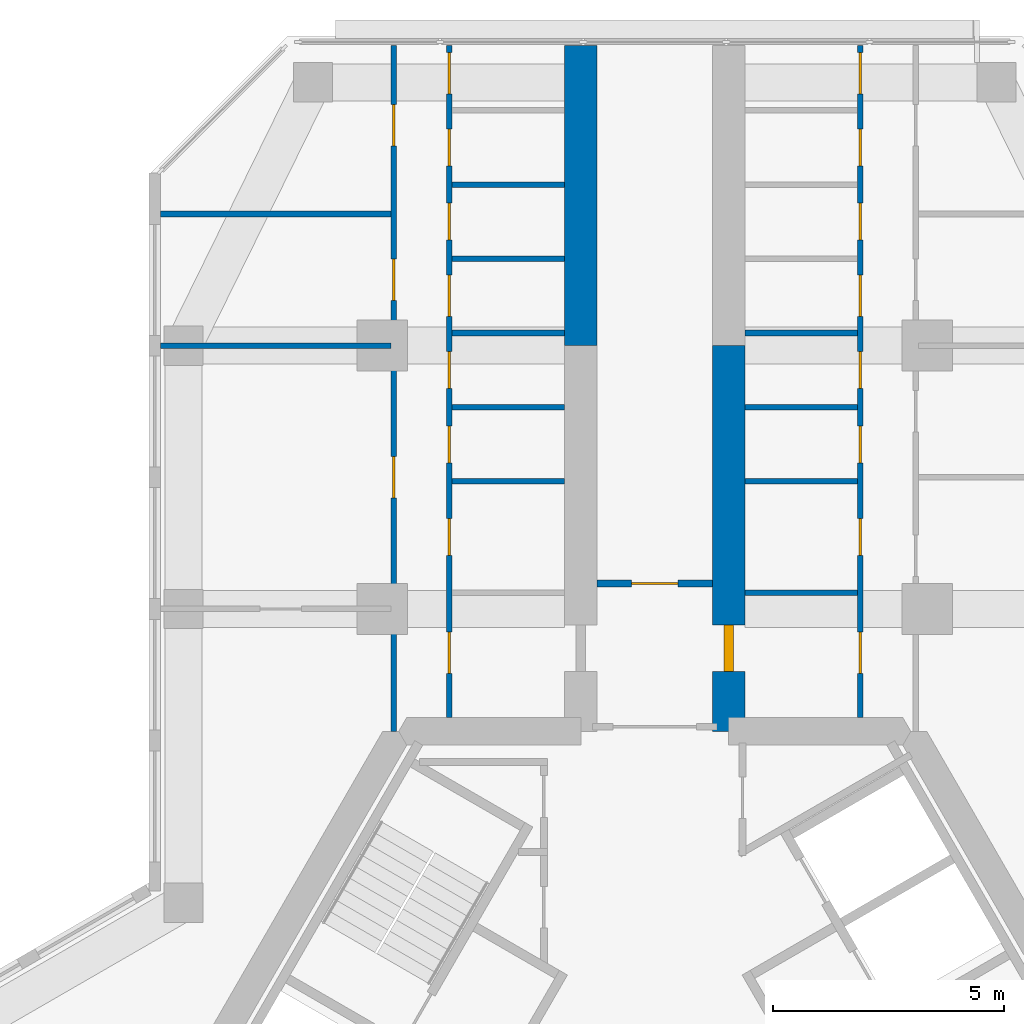
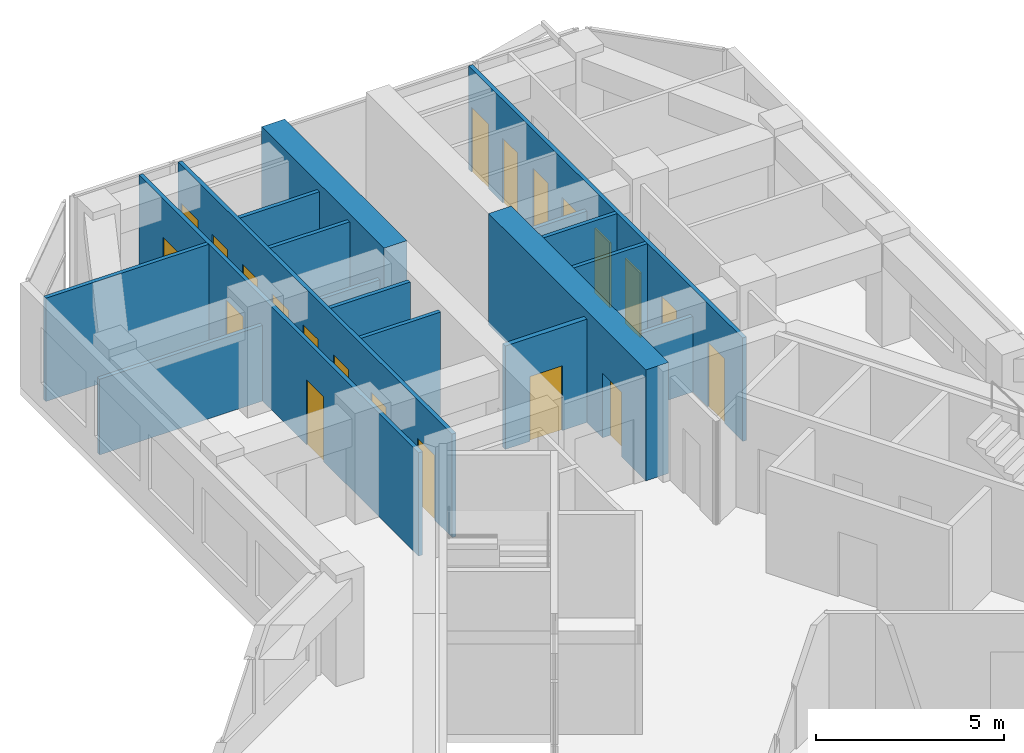
# One storey, part 14 of 16: 21 doors, 17 walls, 21 openings.
"""IFC4 building model written with IfcOpenShell, lengths in metres."""

from ifc_helpers import new_model, si_unit, direction, frame, frame_2d, origin, place, context, subcontext, project, spatial, rectangle, extrude, material, layer, layer_set, type_object, element, fill, save


model = new_model("IFC4")

# Units and contexts
model_context = context("Model", 3, precision=1e-05, world=origin(), true_north=direction((0.0, 1.0)))
body_context = subcontext(model_context, "Body", "Model", "MODEL_VIEW")
ifc_project = project(units=[si_unit("LENGTHUNIT", "METRE"), si_unit("AREAUNIT", "SQUARE_METRE"), si_unit("VOLUMEUNIT", "CUBIC_METRE"), si_unit("PLANEANGLEUNIT", "RADIAN"), si_unit("MASSUNIT", "GRAM", prefix="KILO")], contexts=[model_context])

# Site, building, storey
site_placement = place(None, origin())
site = spatial("IfcSite", under=ifc_project, at=site_placement, CompositionType="ELEMENT")
building_placement = place(site_placement, origin())
building = spatial("IfcBuilding", under=site, at=building_placement, Name="Kosmar Iwan School Tower", CompositionType="ELEMENT")
storey_placement = place(building_placement, frame((0.0, 0.0, 249.60009765625)))
storey = spatial("IfcBuildingStorey", under=building, at=storey_placement, Name="L63", CompositionType="ELEMENT", Elevation=249.60009765625)

# Wall
ifc_material_1 = material(Name="Concrete C50/60", Category="concrete")
ifc_layer_1 = layer(ifc_material_1, 0.699951171875)
ifc_layer_set_1 = layer_set([ifc_layer_1], Name="Corridor buttress wall 700")
wall_type_1 = type_object("IfcWallType", Name="Corridor buttress wall 700", PredefinedType="SHEAR", material=ifc_layer_set_1)
wall_1_placement = place(storey_placement, frame((-1.60009765625, 17.949951171875, 0.0), z_axis=(0.0, 0.0, 1.0), x_axis=(0.0, 1.0, 0.0)))
element("IfcWall", 1, at=wall_1_placement, inside=storey, type_object=wall_type_1, Name="Corridor wall AL bay 2", PredefinedType="SHEAR", context=body_context, shape_type="SweptSolid", body=[
    extrude(rectangle(XDim=6.4951171875, YDim=0.699951171875, at=frame_2d((3.24755859375, 0.0))), origin(), (0.0, 0.0, 1.0), 3.599853515625),
])

# Wall, opening, door
wall_2_placement = place(storey_placement, frame((1.60009765625, 9.60009765625, 0.0), z_axis=(0.0, 0.0, 1.0), x_axis=(0.0, 1.0, 0.0)))
wall_2 = element("IfcWall", 2, at=wall_2_placement, inside=storey, type_object=wall_type_1, Name="Corridor wall AR", PredefinedType="SHEAR", context=body_context, shape_type="SweptSolid", body=[
    extrude(rectangle(XDim=8.349853515625, YDim=0.699951171875, at=frame_2d((4.1748046875, 0.0))), origin(), (0.0, 0.0, 1.0), 3.599853515625),
])
opening_1_placement = place(wall_2_placement, frame((1.300048828125, 0.0, 0.0)))
opening_1 = element("IfcOpeningElement", 3, at=opening_1_placement, cuts=wall_2, Name="Opening D1", PredefinedType="OPENING", context=body_context, shape_type="SweptSolid", body=[
    extrude(rectangle(XDim=1.0, YDim=2.10009765625, at=frame_2d((0.5, 1.050048828125))), frame((0.0, 0.362060546875, 0.0), z_axis=(0.0, -1.0, 0.0), x_axis=(1.0, 0.0, 0.0)), (0.0, 0.0, 1.0), 0.723876953125),
])
ifc_material_2 = material(Name="Timber fire door in steel frame", Category="steel")
door_type_1 = type_object("IfcDoorType", Name="Flat entrance door 1000x2100", OperationType="SINGLE_SWING_LEFT", PredefinedType="DOOR", material=ifc_material_2)
door_1_placement = place(opening_1_placement, origin())
door_1 = element("IfcDoor", 4, at=door_1_placement, inside=storey, type_object=door_type_1, Name="Flat L63-AR1 entrance door", OperationType="SINGLE_SWING_RIGHT", OverallHeight=2.10009765625, OverallWidth=1.0, PredefinedType="DOOR", context=body_context, shape_type="SweptSolid", body=[
    extrude(rectangle(XDim=1.0, YDim=2.10009765625, at=frame_2d((0.5, 1.050048828125))), frame((0.0, 0.10009765625, 0.0), z_axis=(0.0, -1.0, 0.0), x_axis=(1.0, 0.0, 0.0)), (0.0, 0.0, 1.0), 0.199951171875),
])
fill(opening_1, door_1)

ifc_material_3 = material(Name="Gypsum board on steel studs, fire-rated", Category="steel")
ifc_layer_2 = layer(ifc_material_3, 0.14990234375)
ifc_layer_set_2 = layer_set([ifc_layer_2], Name="Corridor end wall 150")
wall_type_2 = type_object("IfcWallType", Name="Corridor end wall 150", PredefinedType="PARTITIONING", material=ifc_layer_set_2)
wall_3_placement = place(storey_placement, frame((1.25, 12.800048828125, 0.0), z_axis=(0.0, 0.0, 1.0), x_axis=(-1.0, 0.0, 0.0)))
wall_3 = element("IfcWall", 5, at=wall_3_placement, inside=storey, type_object=wall_type_2, Name="Partition L63-A-CE", PredefinedType="PARTITIONING", context=body_context, shape_type="SweptSolid", body=[
    extrude(rectangle(XDim=2.5, YDim=0.14990234375, at=frame_2d((1.25, 0.0))), origin(), (0.0, 0.0, 1.0), 3.349853515625),
])
opening_2_placement = place(wall_3_placement, frame((0.75, 0.0, 0.0)))
opening_2 = element("IfcOpeningElement", 6, at=opening_2_placement, cuts=wall_3, Name="Opening D13", PredefinedType="OPENING", context=body_context, shape_type="SweptSolid", body=[
    extrude(rectangle(XDim=1.0, YDim=2.10009765625, at=frame_2d((0.5, 1.050048828125))), frame((0.0, 0.0869140625, 0.0), z_axis=(0.0, -1.0, 0.0), x_axis=(1.0, 0.0, 0.0)), (0.0, 0.0, 1.0), 0.173828125),
])
ifc_material_4 = material(Name="Timber fire door with vision panel", Category="wood")
door_type_2 = type_object("IfcDoorType", Name="Corridor end door 1000x2100", OperationType="SINGLE_SWING_LEFT", PredefinedType="DOOR", material=ifc_material_4)
door_2_placement = place(opening_2_placement, origin())
door_2 = element("IfcDoor", 7, at=door_2_placement, inside=storey, type_object=door_type_2, Name="Reading room door L63-A", OperationType="SINGLE_SWING_LEFT", OverallHeight=2.10009765625, OverallWidth=1.0, PredefinedType="DOOR", context=body_context, shape_type="SweptSolid", body=[
    extrude(rectangle(XDim=1.0, YDim=2.10009765625, at=frame_2d((0.5, 1.050048828125))), frame((0.0, 0.02490234375, 0.0), z_axis=(0.0, -1.0, 0.0), x_axis=(1.0, 0.0, 0.0)), (0.0, 0.0, 1.0), 0.050048828125),
])
fill(opening_2, door_2)

# Wall, openings, doors
ifc_material_5 = material(Name="Gypsum board on steel studs", Category="steel")
ifc_layer_3 = layer(ifc_material_5, 0.1201171875)
ifc_layer_set_3 = layer_set([ifc_layer_3], Name="Dwelling partition 120")
wall_type_3 = type_object("IfcWallType", Name="Dwelling partition 120", PredefinedType="PARTITIONING", material=ifc_layer_set_3)
wall_4_placement = place(storey_placement, frame((-4.449951171875, 9.89990234375, 0.0), z_axis=(0.0, 0.0, 1.0), x_axis=(0.0, 1.0, 0.0)))
wall_4 = element("IfcWall", 8, at=wall_4_placement, inside=storey, type_object=wall_type_3, Name="Partition L63-AL1-W1", PredefinedType="PARTITIONING", context=body_context, shape_type="SweptSolid", body=[
    extrude(rectangle(XDim=14.545166015625, YDim=0.1201171875, at=frame_2d((7.2724609375, 0.0))), origin(), (0.0, 0.0, 1.0), 3.349853515625),
])
opening_3_placement = place(wall_4_placement, frame((0.949951171875, 0.0, 0.0)))
opening_3 = element("IfcOpeningElement", 9, at=opening_3_placement, cuts=wall_4, Name="Opening D2", PredefinedType="OPENING", context=body_context, shape_type="SweptSolid", body=[
    extrude(rectangle(XDim=0.89990234375, YDim=2.10009765625, at=frame_2d((0.449951171875, 1.050048828125))), frame((0.0, 0.072021484375, 0.0), z_axis=(0.0, -1.0, 0.0), x_axis=(1.0, 0.0, 0.0)), (0.0, 0.0, 1.0), 0.14404296875),
])
opening_4_placement = place(wall_4_placement, frame((3.505126953125, 0.0, 0.0)))
opening_4 = element("IfcOpeningElement", 10, at=opening_4_placement, cuts=wall_4, Name="Opening D3", PredefinedType="OPENING", context=body_context, shape_type="SweptSolid", body=[
    extrude(rectangle(XDim=0.800048828125, YDim=2.10009765625, at=frame_2d((0.39990234375, 1.050048828125))), frame((0.0, 0.072021484375, 0.0), z_axis=(0.0, -1.0, 0.0), x_axis=(1.0, 0.0, 0.0)), (0.0, 0.0, 1.0), 0.14404296875),
])
opening_5_placement = place(wall_4_placement, frame((5.513427734375, 0.0, 0.0)))
opening_5 = element("IfcOpeningElement", 11, at=opening_5_placement, cuts=wall_4, Name="Opening D3", PredefinedType="OPENING", context=body_context, shape_type="SweptSolid", body=[
    extrude(rectangle(XDim=0.800048828125, YDim=2.10009765625, at=frame_2d((0.39990234375, 1.050048828125))), frame((0.0, 0.072021484375, 0.0), z_axis=(0.0, -1.0, 0.0), x_axis=(1.0, 0.0, 0.0)), (0.0, 0.0, 1.0), 0.14404296875),
])
opening_6_placement = place(wall_4_placement, frame((7.1201171875, 0.0, 0.0)))
opening_6 = element("IfcOpeningElement", 12, at=opening_6_placement, cuts=wall_4, Name="Opening D3", PredefinedType="OPENING", context=body_context, shape_type="SweptSolid", body=[
    extrude(rectangle(XDim=0.800048828125, YDim=2.10009765625, at=frame_2d((0.39990234375, 1.050048828125))), frame((0.0, 0.072021484375, 0.0), z_axis=(0.0, -1.0, 0.0), x_axis=(1.0, 0.0, 0.0)), (0.0, 0.0, 1.0), 0.14404296875),
])
opening_7_placement = place(wall_4_placement, frame((8.6767578125, 0.0, 0.0)))
opening_7 = element("IfcOpeningElement", 13, at=opening_7_placement, cuts=wall_4, Name="Opening D2", PredefinedType="OPENING", context=body_context, shape_type="SweptSolid", body=[
    extrude(rectangle(XDim=0.89990234375, YDim=2.10009765625, at=frame_2d((0.449951171875, 1.050048828125))), frame((0.0, 0.072021484375, 0.0), z_axis=(0.0, -1.0, 0.0), x_axis=(1.0, 0.0, 0.0)), (0.0, 0.0, 1.0), 0.14404296875),
])
opening_8_placement = place(wall_4_placement, frame((10.333251953125, 0.0, 0.0)))
opening_8 = element("IfcOpeningElement", 14, at=opening_8_placement, cuts=wall_4, Name="Opening D3", PredefinedType="OPENING", context=body_context, shape_type="SweptSolid", body=[
    extrude(rectangle(XDim=0.800048828125, YDim=2.10009765625, at=frame_2d((0.39990234375, 1.050048828125))), frame((0.0, 0.072021484375, 0.0), z_axis=(0.0, -1.0, 0.0), x_axis=(1.0, 0.0, 0.0)), (0.0, 0.0, 1.0), 0.14404296875),
])
opening_9_placement = place(wall_4_placement, frame((11.93994140625, 0.0, 0.0)))
opening_9 = element("IfcOpeningElement", 15, at=opening_9_placement, cuts=wall_4, Name="Opening D3", PredefinedType="OPENING", context=body_context, shape_type="SweptSolid", body=[
    extrude(rectangle(XDim=0.800048828125, YDim=2.10009765625, at=frame_2d((0.39990234375, 1.050048828125))), frame((0.0, 0.072021484375, 0.0), z_axis=(0.0, -1.0, 0.0), x_axis=(1.0, 0.0, 0.0)), (0.0, 0.0, 1.0), 0.14404296875),
])
opening_10_placement = place(wall_4_placement, frame((13.49658203125, 0.0, 0.0)))
opening_10 = element("IfcOpeningElement", 16, at=opening_10_placement, cuts=wall_4, Name="Opening D2", PredefinedType="OPENING", context=body_context, shape_type="SweptSolid", body=[
    extrude(rectangle(XDim=0.89990234375, YDim=2.10009765625, at=frame_2d((0.449951171875, 1.050048828125))), frame((0.0, 0.072021484375, 0.0), z_axis=(0.0, -1.0, 0.0), x_axis=(1.0, 0.0, 0.0)), (0.0, 0.0, 1.0), 0.14404296875),
])
ifc_material_6 = material(Name="Timber door in timber frame", Category="wood")
door_type_3 = type_object("IfcDoorType", Name="Internal door 900x2100", OperationType="SINGLE_SWING_LEFT", PredefinedType="DOOR", material=ifc_material_6)
door_3_placement = place(opening_3_placement, origin())
door_3 = element("IfcDoor", 17, at=door_3_placement, inside=storey, type_object=door_type_3, Name="Entrance hall door L63-AL1-S1", OperationType="SINGLE_SWING_LEFT", OverallHeight=2.10009765625, OverallWidth=0.89990234375, PredefinedType="DOOR", context=body_context, shape_type="SweptSolid", body=[
    extrude(rectangle(XDim=0.89990234375, YDim=2.10009765625, at=frame_2d((0.449951171875, 1.050048828125))), frame((0.0, 0.02490234375, 0.0), z_axis=(0.0, -1.0, 0.0), x_axis=(1.0, 0.0, 0.0)), (0.0, 0.0, 1.0), 0.050048828125),
])
fill(opening_3, door_3)
door_4_placement = place(opening_7_placement, origin())
door_4 = element("IfcDoor", 18, at=door_4_placement, inside=storey, type_object=door_type_3, Name="Pantry door L63-AL1-S5", OperationType="SINGLE_SWING_RIGHT", OverallHeight=2.10009765625, OverallWidth=0.89990234375, PredefinedType="DOOR", context=body_context, shape_type="SweptSolid", body=[
    extrude(rectangle(XDim=0.89990234375, YDim=2.10009765625, at=frame_2d((0.449951171875, 1.050048828125))), frame((0.0, 0.02490234375, 0.0), z_axis=(0.0, -1.0, 0.0), x_axis=(1.0, 0.0, 0.0)), (0.0, 0.0, 1.0), 0.050048828125),
])
fill(opening_7, door_4)
door_5_placement = place(opening_10_placement, origin())
door_5 = element("IfcDoor", 19, at=door_5_placement, inside=storey, type_object=door_type_3, Name="Utility room door L63-AL1-S8", OperationType="SINGLE_SWING_RIGHT", OverallHeight=2.10009765625, OverallWidth=0.89990234375, PredefinedType="DOOR", context=body_context, shape_type="SweptSolid", body=[
    extrude(rectangle(XDim=0.89990234375, YDim=2.10009765625, at=frame_2d((0.449951171875, 1.050048828125))), frame((0.0, 0.02490234375, 0.0), z_axis=(0.0, -1.0, 0.0), x_axis=(1.0, 0.0, 0.0)), (0.0, 0.0, 1.0), 0.050048828125),
])
fill(opening_10, door_5)
ifc_material_7 = material(Name="Timber door in timber frame", Category="wood")
door_type_4 = type_object("IfcDoorType", Name="Sanitary room door 800x2100", OperationType="SINGLE_SWING_LEFT", PredefinedType="DOOR", material=ifc_material_7)
door_6_placement = place(opening_4_placement, origin())
door_6 = element("IfcDoor", 20, at=door_6_placement, inside=storey, type_object=door_type_4, Name="Bathroom door L63-AL1-S2", OperationType="SINGLE_SWING_LEFT", OverallHeight=2.10009765625, OverallWidth=0.800048828125, PredefinedType="DOOR", context=body_context, shape_type="SweptSolid", body=[
    extrude(rectangle(XDim=0.800048828125, YDim=2.10009765625, at=frame_2d((0.39990234375, 1.050048828125))), frame((0.0, 0.02490234375, 0.0), z_axis=(0.0, -1.0, 0.0), x_axis=(1.0, 0.0, 0.0)), (0.0, 0.0, 1.0), 0.050048828125),
])
fill(opening_4, door_6)
door_7_placement = place(opening_5_placement, origin())
door_7 = element("IfcDoor", 21, at=door_7_placement, inside=storey, type_object=door_type_4, Name="Grandparents' shower room door L63-AL1-S3", OperationType="SINGLE_SWING_LEFT", OverallHeight=2.10009765625, OverallWidth=0.800048828125, PredefinedType="DOOR", context=body_context, shape_type="SweptSolid", body=[
    extrude(rectangle(XDim=0.800048828125, YDim=2.10009765625, at=frame_2d((0.39990234375, 1.050048828125))), frame((0.0, 0.02490234375, 0.0), z_axis=(0.0, -1.0, 0.0), x_axis=(1.0, 0.0, 0.0)), (0.0, 0.0, 1.0), 0.050048828125),
])
fill(opening_5, door_7)
door_8_placement = place(opening_6_placement, origin())
door_8 = element("IfcDoor", 22, at=door_8_placement, inside=storey, type_object=door_type_4, Name="Shower room door L63-AL1-S4", OperationType="SINGLE_SWING_RIGHT", OverallHeight=2.10009765625, OverallWidth=0.800048828125, PredefinedType="DOOR", context=body_context, shape_type="SweptSolid", body=[
    extrude(rectangle(XDim=0.800048828125, YDim=2.10009765625, at=frame_2d((0.39990234375, 1.050048828125))), frame((0.0, 0.02490234375, 0.0), z_axis=(0.0, -1.0, 0.0), x_axis=(1.0, 0.0, 0.0)), (0.0, 0.0, 1.0), 0.050048828125),
])
fill(opening_6, door_8)
door_9_placement = place(opening_8_placement, origin())
door_9 = element("IfcDoor", 23, at=door_9_placement, inside=storey, type_object=door_type_4, Name="WC door L63-AL1-S6", OperationType="SINGLE_SWING_RIGHT", OverallHeight=2.10009765625, OverallWidth=0.800048828125, PredefinedType="DOOR", context=body_context, shape_type="SweptSolid", body=[
    extrude(rectangle(XDim=0.800048828125, YDim=2.10009765625, at=frame_2d((0.39990234375, 1.050048828125))), frame((0.0, 0.02490234375, 0.0), z_axis=(0.0, -1.0, 0.0), x_axis=(1.0, 0.0, 0.0)), (0.0, 0.0, 1.0), 0.050048828125),
])
fill(opening_8, door_9)
door_10_placement = place(opening_9_placement, origin())
door_10 = element("IfcDoor", 24, at=door_10_placement, inside=storey, type_object=door_type_4, Name="Store door L63-AL1-S7", OperationType="SINGLE_SWING_RIGHT", OverallHeight=2.10009765625, OverallWidth=0.800048828125, PredefinedType="DOOR", context=body_context, shape_type="SweptSolid", body=[
    extrude(rectangle(XDim=0.800048828125, YDim=2.10009765625, at=frame_2d((0.39990234375, 1.050048828125))), frame((0.0, 0.02490234375, 0.0), z_axis=(0.0, -1.0, 0.0), x_axis=(1.0, 0.0, 0.0)), (0.0, 0.0, 1.0), 0.050048828125),
])
fill(opening_9, door_10)

wall_5_placement = place(storey_placement, frame((-5.64990234375, 9.60009765625, 0.0), z_axis=(0.0, 0.0, 1.0), x_axis=(0.0, 1.0, 0.0)))
wall_5 = element("IfcWall", 25, at=wall_5_placement, inside=storey, type_object=wall_type_3, Name="Partition L63-AL1-W2", PredefinedType="PARTITIONING", context=body_context, shape_type="SweptSolid", body=[
    extrude(rectangle(XDim=14.844970703125, YDim=0.1201171875, at=frame_2d((7.42236328125, 0.0))), origin(), (0.0, 0.0, 1.0), 3.349853515625),
])
opening_11_placement = place(wall_5_placement, frame((5.050048828125, 0.0, 0.0)))
opening_11 = element("IfcOpeningElement", 26, at=opening_11_placement, cuts=wall_5, Name="Opening D2", PredefinedType="OPENING", context=body_context, shape_type="SweptSolid", body=[
    extrude(rectangle(XDim=0.89990234375, YDim=2.10009765625, at=frame_2d((0.449951171875, 1.050048828125))), frame((0.0, 0.072021484375, 0.0), z_axis=(0.0, -1.0, 0.0), x_axis=(1.0, 0.0, 0.0)), (0.0, 0.0, 1.0), 0.14404296875),
])
opening_12_placement = place(wall_5_placement, frame((9.324951171875, 0.0, 0.0)))
opening_12 = element("IfcOpeningElement", 27, at=opening_12_placement, cuts=wall_5, Name="Opening D2", PredefinedType="OPENING", context=body_context, shape_type="SweptSolid", body=[
    extrude(rectangle(XDim=0.89990234375, YDim=2.10009765625, at=frame_2d((0.449951171875, 1.050048828125))), frame((0.0, 0.072021484375, 0.0), z_axis=(0.0, -1.0, 0.0), x_axis=(1.0, 0.0, 0.0)), (0.0, 0.0, 1.0), 0.14404296875),
])
opening_13_placement = place(wall_5_placement, frame((12.675048828125, 0.0, 0.0)))
opening_13 = element("IfcOpeningElement", 28, at=opening_13_placement, cuts=wall_5, Name="Opening D2", PredefinedType="OPENING", context=body_context, shape_type="SweptSolid", body=[
    extrude(rectangle(XDim=0.89990234375, YDim=2.10009765625, at=frame_2d((0.449951171875, 1.050048828125))), frame((0.0, 0.072021484375, 0.0), z_axis=(0.0, -1.0, 0.0), x_axis=(1.0, 0.0, 0.0)), (0.0, 0.0, 1.0), 0.14404296875),
])
door_11_placement = place(opening_11_placement, origin())
door_11 = element("IfcDoor", 29, at=door_11_placement, inside=storey, type_object=door_type_3, Name="Living room door L63-AL1-F2", OperationType="SINGLE_SWING_RIGHT", OverallHeight=2.10009765625, OverallWidth=0.89990234375, PredefinedType="DOOR", context=body_context, shape_type="SweptSolid", body=[
    extrude(rectangle(XDim=0.89990234375, YDim=2.10009765625, at=frame_2d((0.449951171875, 1.050048828125))), frame((0.0, 0.02490234375, 0.0), z_axis=(0.0, -1.0, 0.0), x_axis=(1.0, 0.0, 0.0)), (0.0, 0.0, 1.0), 0.050048828125),
])
fill(opening_11, door_11)
door_12_placement = place(opening_12_placement, origin())
door_12 = element("IfcDoor", 30, at=door_12_placement, inside=storey, type_object=door_type_3, Name="Grandparents' suite door L63-AL1-F3", OperationType="SINGLE_SWING_LEFT", OverallHeight=2.10009765625, OverallWidth=0.89990234375, PredefinedType="DOOR", context=body_context, shape_type="SweptSolid", body=[
    extrude(rectangle(XDim=0.89990234375, YDim=2.10009765625, at=frame_2d((0.449951171875, 1.050048828125))), frame((0.0, 0.02490234375, 0.0), z_axis=(0.0, -1.0, 0.0), x_axis=(1.0, 0.0, 0.0)), (0.0, 0.0, 1.0), 0.050048828125),
])
fill(opening_12, door_12)
door_13_placement = place(opening_13_placement, origin())
door_13 = element("IfcDoor", 31, at=door_13_placement, inside=storey, type_object=door_type_3, Name="Bedroom 1 door L63-AL1-F4", OperationType="SINGLE_SWING_RIGHT", OverallHeight=2.10009765625, OverallWidth=0.89990234375, PredefinedType="DOOR", context=body_context, shape_type="SweptSolid", body=[
    extrude(rectangle(XDim=0.89990234375, YDim=2.10009765625, at=frame_2d((0.449951171875, 1.050048828125))), frame((0.0, 0.02490234375, 0.0), z_axis=(0.0, -1.0, 0.0), x_axis=(1.0, 0.0, 0.0)), (0.0, 0.0, 1.0), 0.050048828125),
])
fill(opening_13, door_13)

# Walls
wall_6_placement = place(storey_placement, frame((-5.7099609375, 17.949951171875, 0.0), z_axis=(0.0, 0.0, 1.0), x_axis=(-1.0, 0.0, 0.0)))
element("IfcWall", 32, at=wall_6_placement, inside=storey, type_object=wall_type_3, Name="Partition L63-AL1-X2", PredefinedType="PARTITIONING", context=body_context, shape_type="SweptSolid", body=[
    extrude(rectangle(XDim=4.989990234375, YDim=0.1201171875, at=frame_2d((2.4951171875, 0.0))), origin(), (0.0, 0.0, 1.0), 2.449951171875),
])
wall_7_placement = place(storey_placement, frame((-5.7099609375, 20.800048828125, 0.0), z_axis=(0.0, 0.0, 1.0), x_axis=(-1.0, 0.0, 0.0)))
element("IfcWall", 33, at=wall_7_placement, inside=storey, type_object=wall_type_3, Name="Partition L63-AL1-X3", PredefinedType="PARTITIONING", context=body_context, shape_type="SweptSolid", body=[
    extrude(rectangle(XDim=4.989990234375, YDim=0.1201171875, at=frame_2d((2.4951171875, 0.0))), origin(), (0.0, 0.0, 1.0), 3.349853515625),
])
for number, where, z_axis, x_axis, name in (
    (34, (-1.949951171875, 15.010009765625, 0.0), (0.0, 0.0, 1.0), (-1.0, 0.0, 0.0), "Partition L63-AL1-Y2"),
    (35, (-1.949951171875, 16.61669921875, 0.0), (0.0, 0.0, 1.0), (-1.0, 0.0, 0.0), "Partition L63-AL1-Y3"),
):
    element("IfcWall", number, at=place(storey_placement, frame(where, z_axis=z_axis, x_axis=x_axis)), inside=storey, type_object=wall_type_3, Name=name, PredefinedType="PARTITIONING", context=body_context, shape_type="SweptSolid", body=[
        extrude(rectangle(XDim=2.43994140625, YDim=0.1201171875, at=frame_2d((1.219970703125, 0.0))), origin(), (0.0, 0.0, 1.0), 3.349853515625),
    ])
wall_8_placement = place(storey_placement, frame((-1.949951171875, 18.223388671875, 0.0), z_axis=(0.0, 0.0, 1.0), x_axis=(-1.0, 0.0, 0.0)))
element("IfcWall", 36, at=wall_8_placement, inside=storey, type_object=wall_type_3, Name="Partition L63-AL1-Y4", PredefinedType="PARTITIONING", context=body_context, shape_type="SweptSolid", body=[
    extrude(rectangle(XDim=2.43994140625, YDim=0.1201171875, at=frame_2d((1.219970703125, 0.0))), origin(), (0.0, 0.0, 1.0), 2.449951171875),
])
for number, where, z_axis, x_axis, name in (
    (37, (-1.949951171875, 19.830078125, 0.0), (0.0, 0.0, 1.0), (-1.0, 0.0, 0.0), "Partition L63-AL1-Y5"),
    (38, (-1.949951171875, 21.436767578125, 0.0), (0.0, 0.0, 1.0), (-1.0, 0.0, 0.0), "Partition L63-AL1-Y6"),
):
    element("IfcWall", number, at=place(storey_placement, frame(where, z_axis=z_axis, x_axis=x_axis)), inside=storey, type_object=wall_type_3, Name=name, PredefinedType="PARTITIONING", context=body_context, shape_type="SweptSolid", body=[
        extrude(rectangle(XDim=2.43994140625, YDim=0.1201171875, at=frame_2d((1.219970703125, 0.0))), origin(), (0.0, 0.0, 1.0), 3.349853515625),
    ])

# Wall, openings, doors
wall_9_placement = place(storey_placement, frame((4.449951171875, 9.89990234375, 0.0), z_axis=(0.0, 0.0, 1.0), x_axis=(0.0, 1.0, 0.0)))
wall_9 = element("IfcWall", 39, at=wall_9_placement, inside=storey, type_object=wall_type_3, Name="Partition L63-AR1-W1", PredefinedType="PARTITIONING", context=body_context, shape_type="SweptSolid", body=[
    extrude(rectangle(XDim=14.545166015625, YDim=0.1201171875, at=frame_2d((7.2724609375, 0.0))), origin(), (0.0, 0.0, 1.0), 3.349853515625),
])
opening_14_placement = place(wall_9_placement, frame((0.949951171875, 0.0, 0.0)))
opening_14 = element("IfcOpeningElement", 40, at=opening_14_placement, cuts=wall_9, Name="Opening D2", PredefinedType="OPENING", context=body_context, shape_type="SweptSolid", body=[
    extrude(rectangle(XDim=0.89990234375, YDim=2.10009765625, at=frame_2d((0.449951171875, 1.050048828125))), frame((0.0, 0.072021484375, 0.0), z_axis=(0.0, -1.0, 0.0), x_axis=(1.0, 0.0, 0.0)), (0.0, 0.0, 1.0), 0.14404296875),
])
opening_15_placement = place(wall_9_placement, frame((3.505126953125, 0.0, 0.0)))
opening_15 = element("IfcOpeningElement", 41, at=opening_15_placement, cuts=wall_9, Name="Opening D3", PredefinedType="OPENING", context=body_context, shape_type="SweptSolid", body=[
    extrude(rectangle(XDim=0.800048828125, YDim=2.10009765625, at=frame_2d((0.39990234375, 1.050048828125))), frame((0.0, 0.072021484375, 0.0), z_axis=(0.0, -1.0, 0.0), x_axis=(1.0, 0.0, 0.0)), (0.0, 0.0, 1.0), 0.14404296875),
])
opening_16_placement = place(wall_9_placement, frame((5.513427734375, 0.0, 0.0)))
opening_16 = element("IfcOpeningElement", 42, at=opening_16_placement, cuts=wall_9, Name="Opening D3", PredefinedType="OPENING", context=body_context, shape_type="SweptSolid", body=[
    extrude(rectangle(XDim=0.800048828125, YDim=2.10009765625, at=frame_2d((0.39990234375, 1.050048828125))), frame((0.0, 0.072021484375, 0.0), z_axis=(0.0, -1.0, 0.0), x_axis=(1.0, 0.0, 0.0)), (0.0, 0.0, 1.0), 0.14404296875),
])
opening_17_placement = place(wall_9_placement, frame((7.1201171875, 0.0, 0.0)))
opening_17 = element("IfcOpeningElement", 43, at=opening_17_placement, cuts=wall_9, Name="Opening D3", PredefinedType="OPENING", context=body_context, shape_type="SweptSolid", body=[
    extrude(rectangle(XDim=0.800048828125, YDim=2.10009765625, at=frame_2d((0.39990234375, 1.050048828125))), frame((0.0, 0.072021484375, 0.0), z_axis=(0.0, -1.0, 0.0), x_axis=(1.0, 0.0, 0.0)), (0.0, 0.0, 1.0), 0.14404296875),
])
opening_18_placement = place(wall_9_placement, frame((8.6767578125, 0.0, 0.0)))
opening_18 = element("IfcOpeningElement", 44, at=opening_18_placement, cuts=wall_9, Name="Opening D2", PredefinedType="OPENING", context=body_context, shape_type="SweptSolid", body=[
    extrude(rectangle(XDim=0.89990234375, YDim=2.10009765625, at=frame_2d((0.449951171875, 1.050048828125))), frame((0.0, 0.072021484375, 0.0), z_axis=(0.0, -1.0, 0.0), x_axis=(1.0, 0.0, 0.0)), (0.0, 0.0, 1.0), 0.14404296875),
])
opening_19_placement = place(wall_9_placement, frame((10.333251953125, 0.0, 0.0)))
opening_19 = element("IfcOpeningElement", 45, at=opening_19_placement, cuts=wall_9, Name="Opening D3", PredefinedType="OPENING", context=body_context, shape_type="SweptSolid", body=[
    extrude(rectangle(XDim=0.800048828125, YDim=2.10009765625, at=frame_2d((0.39990234375, 1.050048828125))), frame((0.0, 0.072021484375, 0.0), z_axis=(0.0, -1.0, 0.0), x_axis=(1.0, 0.0, 0.0)), (0.0, 0.0, 1.0), 0.14404296875),
])
opening_20_placement = place(wall_9_placement, frame((11.93994140625, 0.0, 0.0)))
opening_20 = element("IfcOpeningElement", 46, at=opening_20_placement, cuts=wall_9, Name="Opening D3", PredefinedType="OPENING", context=body_context, shape_type="SweptSolid", body=[
    extrude(rectangle(XDim=0.800048828125, YDim=2.10009765625, at=frame_2d((0.39990234375, 1.050048828125))), frame((0.0, 0.072021484375, 0.0), z_axis=(0.0, -1.0, 0.0), x_axis=(1.0, 0.0, 0.0)), (0.0, 0.0, 1.0), 0.14404296875),
])
opening_21_placement = place(wall_9_placement, frame((13.49658203125, 0.0, 0.0)))
opening_21 = element("IfcOpeningElement", 47, at=opening_21_placement, cuts=wall_9, Name="Opening D2", PredefinedType="OPENING", context=body_context, shape_type="SweptSolid", body=[
    extrude(rectangle(XDim=0.89990234375, YDim=2.10009765625, at=frame_2d((0.449951171875, 1.050048828125))), frame((0.0, 0.072021484375, 0.0), z_axis=(0.0, -1.0, 0.0), x_axis=(1.0, 0.0, 0.0)), (0.0, 0.0, 1.0), 0.14404296875),
])
door_14_placement = place(opening_14_placement, origin())
door_14 = element("IfcDoor", 48, at=door_14_placement, inside=storey, type_object=door_type_3, Name="Entrance hall door L63-AR1-S1", OperationType="SINGLE_SWING_LEFT", OverallHeight=2.10009765625, OverallWidth=0.89990234375, PredefinedType="DOOR", context=body_context, shape_type="SweptSolid", body=[
    extrude(rectangle(XDim=0.89990234375, YDim=2.10009765625, at=frame_2d((0.449951171875, 1.050048828125))), frame((0.0, 0.02490234375, 0.0), z_axis=(0.0, -1.0, 0.0), x_axis=(1.0, 0.0, 0.0)), (0.0, 0.0, 1.0), 0.050048828125),
])
fill(opening_14, door_14)
door_15_placement = place(opening_18_placement, origin())
door_15 = element("IfcDoor", 49, at=door_15_placement, inside=storey, type_object=door_type_3, Name="Pantry door L63-AR1-S5", OperationType="SINGLE_SWING_LEFT", OverallHeight=2.10009765625, OverallWidth=0.89990234375, PredefinedType="DOOR", context=body_context, shape_type="SweptSolid", body=[
    extrude(rectangle(XDim=0.89990234375, YDim=2.10009765625, at=frame_2d((0.449951171875, 1.050048828125))), frame((0.0, 0.02490234375, 0.0), z_axis=(0.0, -1.0, 0.0), x_axis=(1.0, 0.0, 0.0)), (0.0, 0.0, 1.0), 0.050048828125),
])
fill(opening_18, door_15)
door_16_placement = place(opening_21_placement, origin())
door_16 = element("IfcDoor", 50, at=door_16_placement, inside=storey, type_object=door_type_3, Name="Utility room door L63-AR1-S8", OperationType="SINGLE_SWING_RIGHT", OverallHeight=2.10009765625, OverallWidth=0.89990234375, PredefinedType="DOOR", context=body_context, shape_type="SweptSolid", body=[
    extrude(rectangle(XDim=0.89990234375, YDim=2.10009765625, at=frame_2d((0.449951171875, 1.050048828125))), frame((0.0, 0.02490234375, 0.0), z_axis=(0.0, -1.0, 0.0), x_axis=(1.0, 0.0, 0.0)), (0.0, 0.0, 1.0), 0.050048828125),
])
fill(opening_21, door_16)
door_17_placement = place(opening_15_placement, origin())
door_17 = element("IfcDoor", 51, at=door_17_placement, inside=storey, type_object=door_type_4, Name="Bathroom door L63-AR1-S2", OperationType="SINGLE_SWING_RIGHT", OverallHeight=2.10009765625, OverallWidth=0.800048828125, PredefinedType="DOOR", context=body_context, shape_type="SweptSolid", body=[
    extrude(rectangle(XDim=0.800048828125, YDim=2.10009765625, at=frame_2d((0.39990234375, 1.050048828125))), frame((0.0, 0.02490234375, 0.0), z_axis=(0.0, -1.0, 0.0), x_axis=(1.0, 0.0, 0.0)), (0.0, 0.0, 1.0), 0.050048828125),
])
fill(opening_15, door_17)
door_18_placement = place(opening_16_placement, origin())
door_18 = element("IfcDoor", 52, at=door_18_placement, inside=storey, type_object=door_type_4, Name="Grandparents' shower room door L63-AR1-S3", OperationType="SINGLE_SWING_LEFT", OverallHeight=2.10009765625, OverallWidth=0.800048828125, PredefinedType="DOOR", context=body_context, shape_type="SweptSolid", body=[
    extrude(rectangle(XDim=0.800048828125, YDim=2.10009765625, at=frame_2d((0.39990234375, 1.050048828125))), frame((0.0, 0.02490234375, 0.0), z_axis=(0.0, -1.0, 0.0), x_axis=(1.0, 0.0, 0.0)), (0.0, 0.0, 1.0), 0.050048828125),
])
fill(opening_16, door_18)
door_19_placement = place(opening_17_placement, origin())
door_19 = element("IfcDoor", 53, at=door_19_placement, inside=storey, type_object=door_type_4, Name="Shower room door L63-AR1-S4", OperationType="SINGLE_SWING_RIGHT", OverallHeight=2.10009765625, OverallWidth=0.800048828125, PredefinedType="DOOR", context=body_context, shape_type="SweptSolid", body=[
    extrude(rectangle(XDim=0.800048828125, YDim=2.10009765625, at=frame_2d((0.39990234375, 1.050048828125))), frame((0.0, 0.02490234375, 0.0), z_axis=(0.0, -1.0, 0.0), x_axis=(1.0, 0.0, 0.0)), (0.0, 0.0, 1.0), 0.050048828125),
])
fill(opening_17, door_19)
door_20_placement = place(opening_19_placement, origin())
door_20 = element("IfcDoor", 54, at=door_20_placement, inside=storey, type_object=door_type_4, Name="WC door L63-AR1-S6", OperationType="SINGLE_SWING_RIGHT", OverallHeight=2.10009765625, OverallWidth=0.800048828125, PredefinedType="DOOR", context=body_context, shape_type="SweptSolid", body=[
    extrude(rectangle(XDim=0.800048828125, YDim=2.10009765625, at=frame_2d((0.39990234375, 1.050048828125))), frame((0.0, 0.02490234375, 0.0), z_axis=(0.0, -1.0, 0.0), x_axis=(1.0, 0.0, 0.0)), (0.0, 0.0, 1.0), 0.050048828125),
])
fill(opening_19, door_20)
door_21_placement = place(opening_20_placement, origin())
door_21 = element("IfcDoor", 55, at=door_21_placement, inside=storey, type_object=door_type_4, Name="Store door L63-AR1-S7", OperationType="SINGLE_SWING_LEFT", OverallHeight=2.10009765625, OverallWidth=0.800048828125, PredefinedType="DOOR", context=body_context, shape_type="SweptSolid", body=[
    extrude(rectangle(XDim=0.800048828125, YDim=2.10009765625, at=frame_2d((0.39990234375, 1.050048828125))), frame((0.0, 0.02490234375, 0.0), z_axis=(0.0, -1.0, 0.0), x_axis=(1.0, 0.0, 0.0)), (0.0, 0.0, 1.0), 0.050048828125),
])
fill(opening_20, door_21)

# Walls
wall_10_placement = place(storey_placement, frame((1.949951171875, 12.60009765625, 0.0), z_axis=(0.0, 0.0, 1.0), x_axis=(1.0, 0.0, 0.0)))
element("IfcWall", 56, at=wall_10_placement, inside=storey, type_object=wall_type_3, Name="Partition L63-AR1-Y1", PredefinedType="PARTITIONING", context=body_context, shape_type="SweptSolid", body=[
    extrude(rectangle(XDim=2.43994140625, YDim=0.1201171875, at=frame_2d((1.219970703125, 0.0))), origin(), (0.0, 0.0, 1.0), 2.449951171875),
])
for number, where, z_axis, x_axis, name in (
    (57, (1.949951171875, 15.010009765625, 0.0), (0.0, 0.0, 1.0), (1.0, 0.0, 0.0), "Partition L63-AR1-Y2"),
    (58, (1.949951171875, 16.61669921875, 0.0), (0.0, 0.0, 1.0), (1.0, 0.0, 0.0), "Partition L63-AR1-Y3"),
):
    element("IfcWall", number, at=place(storey_placement, frame(where, z_axis=z_axis, x_axis=x_axis)), inside=storey, type_object=wall_type_3, Name=name, PredefinedType="PARTITIONING", context=body_context, shape_type="SweptSolid", body=[
        extrude(rectangle(XDim=2.43994140625, YDim=0.1201171875, at=frame_2d((1.219970703125, 0.0))), origin(), (0.0, 0.0, 1.0), 3.349853515625),
    ])
wall_11_placement = place(storey_placement, frame((1.949951171875, 18.223388671875, 0.0), z_axis=(0.0, 0.0, 1.0), x_axis=(1.0, 0.0, 0.0)))
element("IfcWall", 59, at=wall_11_placement, inside=storey, type_object=wall_type_3, Name="Partition L63-AR1-Y4", PredefinedType="PARTITIONING", context=body_context, shape_type="SweptSolid", body=[
    extrude(rectangle(XDim=2.43994140625, YDim=0.1201171875, at=frame_2d((1.219970703125, 0.0))), origin(), (0.0, 0.0, 1.0), 2.449951171875),
])

save(model, "model.ifc")
